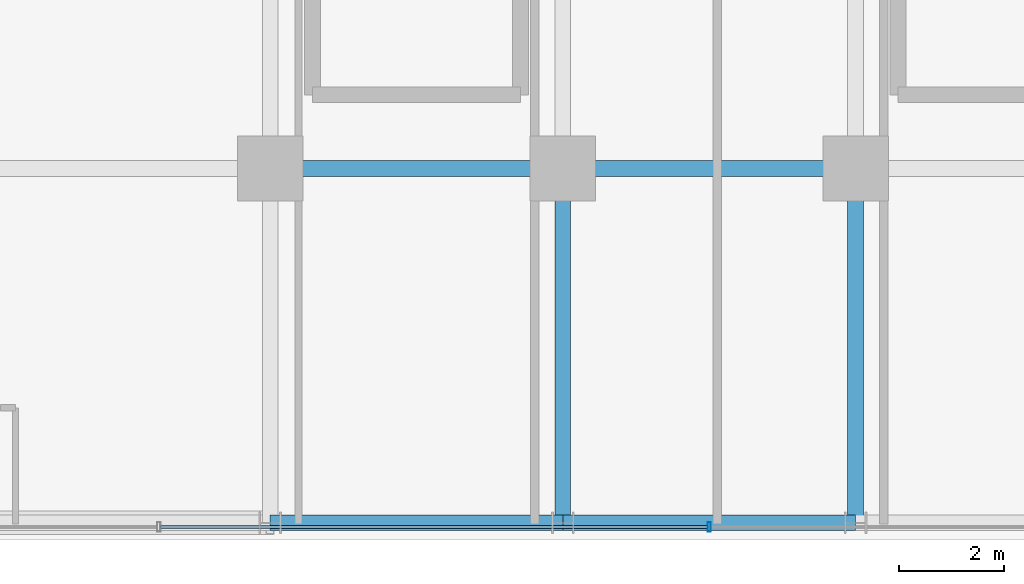
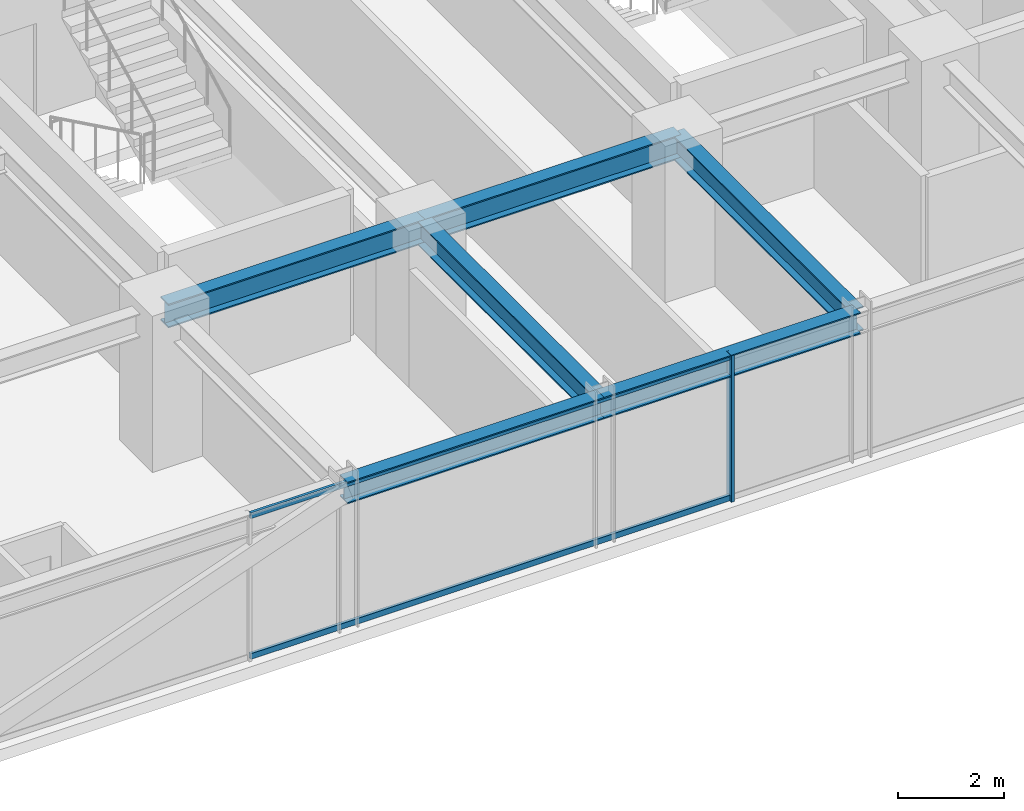
# One storey, part 6 of 40: 6 beams, 3 members, 1 element without a shape of its own.
"""IFC4 building model written with IfcOpenShell, lengths in metres."""

from ifc_helpers import new_model, si_unit, direction, frame, origin, origin_2d, place, context, subcontext, project, spatial, hollow_rectangle, i_section, extrude, source, transform, mapped, material, material_profile, profile_set, type_object, element, aggregate, save


model = new_model("IFC4")

# Units and contexts
model_context = context("Model", 3, precision=1e-05, world=origin(), true_north=direction((0.0, 1.0)))
body_context = subcontext(model_context, "Body", "Model", "MODEL_VIEW")
ifc_project = project(units=[si_unit("LENGTHUNIT", "METRE"), si_unit("AREAUNIT", "SQUARE_METRE"), si_unit("VOLUMEUNIT", "CUBIC_METRE"), si_unit("PLANEANGLEUNIT", "RADIAN"), si_unit("MASSUNIT", "GRAM", prefix="KILO")], contexts=[model_context])

# Site, building, storey
site_placement = place(None, origin())
site = spatial("IfcSite", under=ifc_project, at=site_placement, CompositionType="ELEMENT")
building_placement = place(site_placement, origin())
building = spatial("IfcBuilding", under=site, at=building_placement, Name="Nahalor Promenade Grand Hotel", CompositionType="ELEMENT")
storey_placement = place(building_placement, frame((0.0, 0.0, 91.949951171875)))
storey = spatial("IfcBuildingStorey", under=building, at=storey_placement, Name="L22", CompositionType="ELEMENT", Elevation=91.949951171875)

# Beams
ifc_material_1 = material(Name="Steel S355JR", Category="steel")
ifc_material_profile_1 = material_profile(ifc_material_1, i_section(OverallWidth=0.3, OverallDepth=0.5, WebThickness=0.0145, FlangeThickness=0.028, at=origin_2d()), Name="HEB 500")
ifc_profile_set_1 = profile_set([ifc_material_profile_1], Name="Steel S355JR")
beam_type_1 = type_object("IfcBeamType", Name="Beam-Spandrel-HEB500", PredefinedType="SPANDREL", material=ifc_profile_set_1)
shared_shape_1 = source(origin(), body_context, "Body", "SweptSolid", [
    extrude(i_section(OverallWidth=0.3, OverallDepth=0.5, WebThickness=0.0145, FlangeThickness=0.028, at=origin_2d()), origin(), (0.0, 0.0, 1.0), 5.599853515625),
])
beam_1_placement = place(storey_placement, frame((-8.39990234375, -23.780029296875, 3.130126953125), z_axis=(1.0, 0.0, 0.0), x_axis=(0.0, 1.0, 0.0)))
element("IfcBeam", 1, at=beam_1_placement, inside=storey, type_object=beam_type_1, Name="BM-L22-SP-S-1", PredefinedType="SPANDREL", context=body_context, shape_type="MappedRepresentation", body=[
    mapped(shared_shape_1, transform((0.0, 0.0, 0.0), scale=1.0)),
])
shared_shape_2 = source(origin(), body_context, "Body", "SweptSolid", [
    extrude(i_section(OverallWidth=0.3, OverallDepth=0.5, WebThickness=0.0145, FlangeThickness=0.028, at=origin_2d()), origin(), (0.0, 0.0, 1.0), 5.60009765625),
])
beam_2_placement = place(storey_placement, frame((-2.800048828125, -23.780029296875, 3.130126953125), z_axis=(1.0, 0.0, 0.0), x_axis=(0.0, 1.0, 0.0)))
element("IfcBeam", 2, at=beam_2_placement, inside=storey, type_object=beam_type_1, Name="BM-L22-SP-S-2", PredefinedType="SPANDREL", context=body_context, shape_type="MappedRepresentation", body=[
    mapped(shared_shape_2, transform((0.0, 0.0, 0.0), scale=1.0)),
])
ifc_material_profile_2 = material_profile(ifc_material_1, i_section(OverallWidth=0.3, OverallDepth=0.55, WebThickness=0.015, FlangeThickness=0.029, at=origin_2d()), Name="HEB 550")
ifc_profile_set_2 = profile_set([ifc_material_profile_2], Name="Steel S355JR")
beam_type_2 = type_object("IfcBeamType", Name="Beam-Girder-HEB550", PredefinedType="BEAM", material=ifc_profile_set_2)
shared_shape_3 = source(origin(), body_context, "Body", "SweptSolid", [
    extrude(i_section(OverallWidth=0.3, OverallDepth=0.55, WebThickness=0.015, FlangeThickness=0.029, at=origin_2d()), origin(), (0.0, 0.0, 1.0), 6.780029296875),
])
for number, where, z_axis, x_axis, name in (
    (3, (-2.800048828125, -23.780029296875, 3.10498046875), (0.0, 1.0, 0.0), (-1.0, 0.0, 0.0), "BM-L22-GY-2-0"),
    (4, (2.800048828125, -23.780029296875, 3.10498046875), (0.0, 1.0, 0.0), (-1.0, 0.0, 0.0), "BM-L22-GY-3-0"),
):
    element("IfcBeam", number, at=place(storey_placement, frame(where, z_axis=z_axis, x_axis=x_axis)), inside=storey, type_object=beam_type_2, Name=name, PredefinedType="BEAM", context=body_context, shape_type="MappedRepresentation", body=[
        mapped(shared_shape_3, transform((0.0, 0.0, 0.0), scale=1.0)),
    ])
shared_shape_4 = source(origin(), body_context, "Body", "SweptSolid", [
    extrude(i_section(OverallWidth=0.3, OverallDepth=0.55, WebThickness=0.015, FlangeThickness=0.029, at=origin_2d()), origin(), (0.0, 0.0, 1.0), 5.599853515625),
])
beam_3_placement = place(storey_placement, frame((-8.39990234375, -17.0, 3.10498046875), z_axis=(1.0, 0.0, 0.0), x_axis=(0.0, 1.0, 0.0)))
element("IfcBeam", 5, at=beam_3_placement, inside=storey, type_object=beam_type_2, Name="BM-L22-GX-0-2", PredefinedType="BEAM", context=body_context, shape_type="MappedRepresentation", body=[
    mapped(shared_shape_4, transform((0.0, 0.0, 0.0), scale=1.0)),
])
shared_shape_5 = source(origin(), body_context, "Body", "SweptSolid", [
    extrude(i_section(OverallWidth=0.3, OverallDepth=0.55, WebThickness=0.015, FlangeThickness=0.029, at=origin_2d()), origin(), (0.0, 0.0, 1.0), 5.60009765625),
])
beam_4_placement = place(storey_placement, frame((-2.800048828125, -17.0, 3.10498046875), z_axis=(1.0, 0.0, 0.0), x_axis=(0.0, 1.0, 0.0)))
element("IfcBeam", 6, at=beam_4_placement, inside=storey, type_object=beam_type_2, Name="BM-L22-GX-0-3", PredefinedType="BEAM", context=body_context, shape_type="MappedRepresentation", body=[
    mapped(shared_shape_5, transform((0.0, 0.0, 0.0), scale=1.0)),
])

# Curtain wall, members
ifc_material_2 = material(Name="Anodised Bronze Aluminium EN AW-6063 T6", Category="aluminium")
curtain_wall_type = type_object("IfcCurtainWallType", Name="CW2 Typical Hotel Flush Bronze Unitised Curtain Wall", PredefinedType="USERDEFINED", material=ifc_material_2)
curtain_wall_placement = place(storey_placement, origin())
curtain_wall = element("IfcCurtainWall", 7, at=curtain_wall_placement, inside=storey, type_object=curtain_wall_type, Name="L22 Curtain Wall CW-L22-S-1", ObjectType="UNITISED_CURTAIN_WALL", PredefinedType="USERDEFINED")
ifc_material_profile_3 = material_profile(ifc_material_2, hollow_rectangle(XDim=0.065, YDim=0.13, WallThickness=0.004, at=origin_2d()), Name="CWT 65x130x4")
ifc_profile_set_3 = profile_set([ifc_material_profile_3], Name="Anodised Bronze Aluminium EN AW-6063 T6")
member_type_1 = type_object("IfcMemberType", Name="CWT2 Typical Bronze Transom 65x130", PredefinedType="USERDEFINED", material=ifc_profile_set_3)
shared_shape_6 = source(origin(), body_context, "Body", "SweptSolid", [
    extrude(hollow_rectangle(XDim=0.065, YDim=0.13, WallThickness=0.004, at=origin_2d()), origin(), (0.0, 0.0, 1.0), 10.465087890625),
])
member_1_placement = place(storey_placement, frame((-10.49755859375, -23.860107421875, 0.06494140625), z_axis=(1.0, 0.0, 0.0), x_axis=(0.0, 1.0, 0.0)))
member_1 = element("IfcMember", 8, at=member_1_placement, type_object=member_type_1, Name="CW-L22-S-1 Transom 1-0", ObjectType="TRANSOM", PredefinedType="USERDEFINED", context=body_context, shape_type="MappedRepresentation", body=[
    mapped(shared_shape_6, transform((0.0, 0.0, 0.0), scale=1.0)),
])
member_2_placement = place(storey_placement, frame((-10.49755859375, -23.860107421875, 3.31494140625), z_axis=(1.0, 0.0, 0.0), x_axis=(0.0, 1.0, 0.0)))
member_2 = element("IfcMember", 9, at=member_2_placement, type_object=member_type_1, Name="CW-L22-S-1 Transom 1-1", ObjectType="TRANSOM", PredefinedType="USERDEFINED", context=body_context, shape_type="MappedRepresentation", body=[
    mapped(shared_shape_6, transform((0.0, 0.0, 0.0), scale=1.0)),
])
ifc_material_profile_4 = material_profile(ifc_material_2, hollow_rectangle(XDim=0.065, YDim=0.18, WallThickness=0.004, at=origin_2d()), Name="CWM 65x180x4")
ifc_profile_set_4 = profile_set([ifc_material_profile_4], Name="Anodised Bronze Aluminium EN AW-6063 T6")
member_type_2 = type_object("IfcMemberType", Name="CWM2 Typical Bronze Mullion 65x180", PredefinedType="MULLION", material=ifc_profile_set_4)
shared_shape_7 = source(origin(), body_context, "Body", "SweptSolid", [
    extrude(hollow_rectangle(XDim=0.065, YDim=0.18, WallThickness=0.004, at=origin_2d()), origin(), (0.0, 0.0, 1.0), 3.380126953125),
])
member_3_placement = place(storey_placement, frame((0.0, -23.860107421875, 0.0), z_axis=(0.0, 0.0, 1.0), x_axis=(1.0, 0.0, 0.0)))
member_3 = element("IfcMember", 10, at=member_3_placement, type_object=member_type_2, Name="CW-L22-S-1 Mullion 2", PredefinedType="MULLION", context=body_context, shape_type="MappedRepresentation", body=[
    mapped(shared_shape_7, transform((0.0, 0.0, 0.0), scale=1.0)),
])
aggregate(curtain_wall, [member_3, member_1, member_2])

save(model, "model.ifc")
